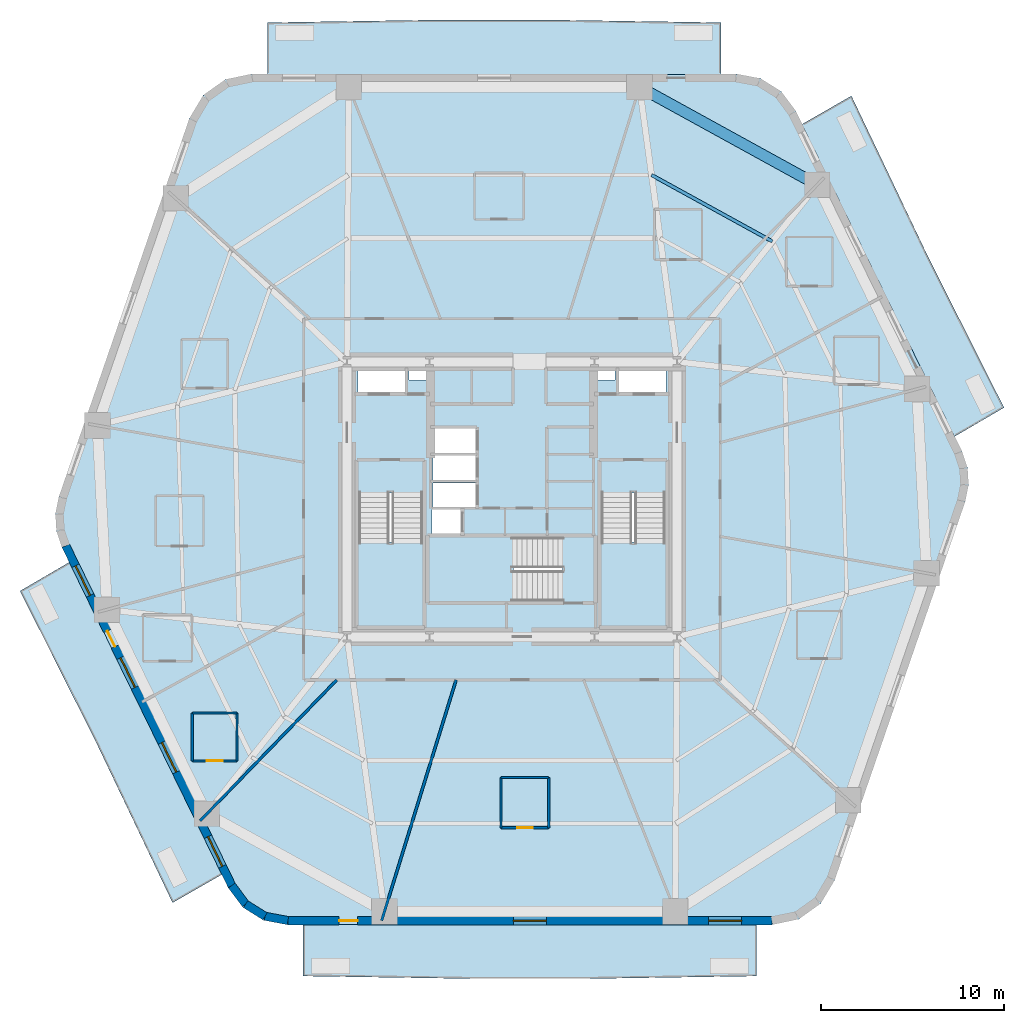
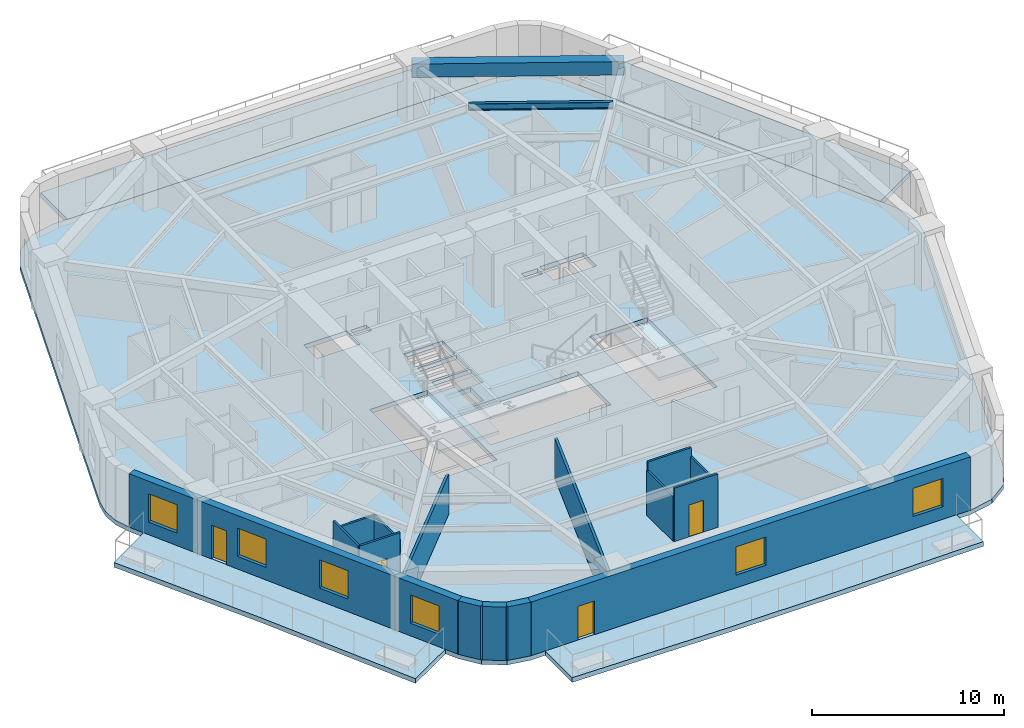
# One storey, part 2 of 9: 15 walls, 8 slabs, 6 windows, 4 doors, 2 beams, 10 openings, 3 elements without a shape of their own.
"""IFC4 building model written with IfcOpenShell, lengths in metres."""

from ifc_helpers import new_model, si_unit, direction, frame, frame_2d, origin, origin_2d, place, context, subcontext, project, spatial, polyline, rectangle, i_section, outline, extrude, material, layer, layer_set, material_profile, profile_set, type_object, element, fill, aggregate, save


model = new_model("IFC4")

# Units and contexts
model_context = context("Model", 3, precision=1e-05, world=origin(), true_north=direction((0.0, 1.0)))
body_context = subcontext(model_context, "Body", "Model", "MODEL_VIEW")
ifc_project = project(units=[si_unit("LENGTHUNIT", "METRE"), si_unit("AREAUNIT", "SQUARE_METRE"), si_unit("VOLUMEUNIT", "CUBIC_METRE"), si_unit("PLANEANGLEUNIT", "RADIAN"), si_unit("MASSUNIT", "GRAM", prefix="KILO")], contexts=[model_context])

# Site, building, storey
site_placement = place(None, origin())
site = spatial("IfcSite", under=ifc_project, at=site_placement, CompositionType="ELEMENT")
building_placement = place(site_placement, origin())
building = spatial("IfcBuilding", under=site, at=building_placement, Name="Kilnhurst Terrace Hotel", CompositionType="ELEMENT")
storey_placement = place(building_placement, frame((0.0, 0.0, 60.10009765625)))
storey = spatial("IfcBuildingStorey", under=building, at=storey_placement, Name="L13", CompositionType="ELEMENT", Elevation=60.10009765625)

# Beams
ifc_material_1 = material(Name="Concrete C50/60", Category="concrete")
ifc_material_profile_1 = material_profile(ifc_material_1, rectangle(XDim=0.60009765625, YDim=0.85009765625, at=origin_2d()), Name="RC600X850")
ifc_profile_set_1 = profile_set([ifc_material_profile_1], Name="Concrete C50/60")
beam_type_1 = type_object("IfcBeamType", Name="BM-SPN-600X850", PredefinedType="SPANDREL", material=ifc_profile_set_1)
beam_1_placement = place(storey_placement, frame((16.64306640625, 17.152099609375, 2.974853515625), z_axis=(-0.876235488803, 0.481883147829, 0.0), x_axis=(-0.481883147829, -0.876235488803, 0.0)))
element("IfcBeam", 1, at=beam_1_placement, inside=storey, type_object=beam_type_1, Name="L13 Perimeter Spandrel Beam 6", PredefinedType="SPANDREL", context=body_context, shape_type="SweptSolid", body=[
    extrude(rectangle(XDim=0.60009765625, YDim=0.85009765625, at=origin_2d()), origin(), (0.0, 0.0, 1.0), 11.056396484375),
])
ifc_material_2 = material(Name="Steel ASTM A992 Grade 50", Category="steel")
ifc_material_profile_2 = material_profile(ifc_material_2, i_section(OverallWidth=0.180908203125, OverallDepth=0.417236328125, WebThickness=0.010986328125, FlangeThickness=0.018310546875, at=origin_2d()), Name="W16X57")
ifc_profile_set_2 = profile_set([ifc_material_profile_2], Name="Steel ASTM A992 Grade 50")
beam_type_2 = type_object("IfcBeamType", Name="JST-STL-W16X57", PredefinedType="JOIST", material=ifc_profile_set_2)
beam_2_placement = place(storey_placement, frame((14.197265625, 14.0634765625, 3.19091796875), z_axis=(-0.876246073632, 0.481863900334, 0.0), x_axis=(-0.481863900334, -0.876246073632, 0.0)))
element("IfcBeam", 2, at=beam_2_placement, inside=storey, type_object=beam_type_2, Name="L13 Secondary Floor Steel Joist OUT.6", PredefinedType="JOIST", context=body_context, shape_type="SweptSolid", body=[
    extrude(i_section(OverallWidth=0.180908203125, OverallDepth=0.417236328125, WebThickness=0.010986328125, FlangeThickness=0.018310546875, at=origin_2d()), origin(), (0.0, 0.0, 1.0), 7.518310546875),
])

# Slabs
ifc_layer_1 = layer(ifc_material_1, 0.300048828125, Name="Concrete C50/60")
ifc_layer_set_1 = layer_set([ifc_layer_1], Name="Concrete C50/60")
slab_type_1 = type_object("IfcSlabType", Name="SLB-BAL-300", PredefinedType="FLOOR", material=ifc_layer_set_1)
slab_1_placement = place(storey_placement, frame((0.0, 0.0, -0.300048828125)))
element("IfcSlab", 3, at=slab_1_placement, inside=storey, type_object=slab_type_1, Name="L13 Cantilevered Planted Terrace Slab BAL-L1A", PredefinedType="FLOOR", context=body_context, shape_type="SweptSolid", body=[
    extrude(outline(polyline([(22.697021484375, 13.21142578125), (26.830810546875, 5.0), (24.128662109375, 3.42333984375), (15.809814453125, 20.452880859375), (18.509521484375, 22.0), (22.697021484375, 13.21142578125)])), origin(), (0.0, 0.0, 1.0), 0.300048828125),
])
slab_2_placement = place(storey_placement, frame((0.0, 0.0, -0.300048828125)))
element("IfcSlab", 4, at=slab_2_placement, inside=storey, type_object=slab_type_1, Name="L13 Cantilevered Planted Terrace Slab BAL-L1B", PredefinedType="FLOOR", context=body_context, shape_type="SweptSolid", body=[
    extrude(outline(polyline([(2.279541015625, 26.139892578125), (11.39208984375, 26.0), (11.39208984375, 23.179931640625), (-13.341552734375, 23.179931640625), (-13.341552734375, 26.0), (-4.229248046875, 26.139892578125), (2.279541015625, 26.139892578125)])), origin(), (0.0, 0.0, 1.0), 0.300048828125),
])
slab_3_placement = place(storey_placement, frame((0.0, 0.0, -0.300048828125)))
element("IfcSlab", 5, at=slab_3_placement, inside=storey, type_object=slab_type_1, Name="L13 Cantilevered Planted Terrace Slab BAL-L2A", PredefinedType="FLOOR", context=body_context, shape_type="SweptSolid", body=[
    extrude(outline(polyline([(-26.830810546875, -5.0), (-24.128662109375, -3.42333984375), (-15.809814453125, -20.452880859375), (-18.509521484375, -22.0), (-22.697021484375, -13.21142578125), (-26.830810546875, -5.0)])), origin(), (0.0, 0.0, 1.0), 0.300048828125),
])
slab_4_placement = place(storey_placement, frame((0.0, 0.0, -0.300048828125)))
element("IfcSlab", 6, at=slab_4_placement, inside=storey, type_object=slab_type_1, Name="L13 Cantilevered Planted Terrace Slab BAL-L2B", PredefinedType="FLOOR", context=body_context, shape_type="SweptSolid", body=[
    extrude(outline(polyline([(-2.279541015625, -26.139892578125), (-11.39208984375, -26.0), (-11.39208984375, -23.179931640625), (13.341552734375, -23.179931640625), (13.341552734375, -26.0), (4.229248046875, -26.139892578125), (-2.279541015625, -26.139892578125)])), origin(), (0.0, 0.0, 1.0), 0.300048828125),
])
ifc_layer_2 = layer(ifc_material_1, 0.280029296875, Name="Concrete C50/60")
ifc_layer_set_2 = layer_set([ifc_layer_2], Name="Concrete C50/60")
slab_type_2 = type_object("IfcSlabType", Name="SLB-FLR-280", PredefinedType="FLOOR", material=ifc_layer_set_2)
slab_5_placement = place(storey_placement, frame((0.0, 0.0, -0.280029296875)))
element("IfcSlab", 7, at=slab_5_placement, inside=storey, type_object=slab_type_2, Name="L13 Structural Floor Slab", PredefinedType="FLOOR", context=body_context, shape_type="SweptSolid", body=[
    extrude(outline(polyline([(-15.476806640625, -21.18017578125), (-14.680908203125, -22.248046875), (-13.551025390625, -22.95361328125), (-12.241943359375, -23.199951171875), (14.191650390625, -23.199951171875), (15.635986328125, -22.8974609375), (16.837890625, -22.040771484375), (17.5947265625, -20.773681640625), (24.712890625, -0.135986328125), (24.90087890625, 0.7861328125), (24.843505859375, 1.7255859375), (24.54443359375, 2.617919921875), (15.476806640625, 21.18017578125), (14.680908203125, 22.248046875), (13.551025390625, 22.95361328125), (12.241943359375, 23.199951171875), (-14.191650390625, 23.199951171875), (-15.635986328125, 22.8974609375), (-16.837890625, 22.040771484375), (-17.5947265625, 20.773681640625), (-24.712890625, 0.135986328125), (-24.90087890625, -0.7861328125), (-24.843505859375, -1.7255859375), (-24.54443359375, -2.617919921875), (-15.476806640625, -21.18017578125)]), holes=[polyline([(-8.35009765625, 0.35498046875), (-4.8798828125, 0.35498046875), (-4.8798828125, -6.89990234375), (-8.35009765625, -6.89990234375), (-8.35009765625, 0.35498046875)]), polyline([(-2.800048828125, -1.89990234375), (-4.35009765625, -1.89990234375), (-4.35009765625, -0.550048828125), (-2.800048828125, -0.550048828125), (-2.800048828125, -1.89990234375)]), polyline([(-1.949951171875, -0.429931640625), (-4.300048828125, -0.429931640625), (-4.300048828125, 0.89990234375), (-1.949951171875, 0.89990234375), (-1.949951171875, -0.429931640625)]), polyline([(-4.300048828125, 1.050048828125), (-4.300048828125, 2.3798828125), (-1.949951171875, 2.3798828125), (-1.949951171875, 1.050048828125), (-4.300048828125, 1.050048828125)]), polyline([(-8.39990234375, 5.75), (-8.39990234375, 7.14990234375), (-5.800048828125, 7.14990234375), (-5.800048828125, 5.75), (-8.39990234375, 5.75)]), polyline([(-4.659912109375, 6.52001953125), (-5.6201171875, 6.52001953125), (-5.6201171875, 7.080078125), (-4.659912109375, 7.080078125), (-4.659912109375, 6.52001953125)]), polyline([(2.7548828125, -5.550048828125), (-4.5, -5.550048828125), (-4.5, -2.080078125), (2.7548828125, -2.080078125), (2.7548828125, -5.550048828125)]), polyline([(8.35009765625, 0.35498046875), (8.35009765625, -6.89990234375), (4.8798828125, -6.89990234375), (4.8798828125, 0.35498046875), (8.35009765625, 0.35498046875)]), polyline([(-1.949951171875, 2.530029296875), (-4.300048828125, 2.530029296875), (-4.300048828125, 3.860107421875), (-1.949951171875, 3.860107421875), (-1.949951171875, 2.530029296875)]), polyline([(5.800048828125, 5.75), (5.800048828125, 7.14990234375), (8.39990234375, 7.14990234375), (8.39990234375, 5.75), (5.800048828125, 5.75)]), polyline([(4.659912109375, 6.52001953125), (4.659912109375, 7.080078125), (5.6201171875, 7.080078125), (5.6201171875, 6.52001953125), (4.659912109375, 6.52001953125)])]), origin(), (0.0, 0.0, 1.0), 0.280029296875),
])

# Stair, slab
stair_type = type_object("IfcStairType", Name="STR-CORE-1660", PredefinedType="HALF_TURN_STAIR", material=ifc_material_1)
stair_1_placement = place(storey_placement, origin())
stair_1 = element("IfcStair", 8, at=stair_1_placement, inside=storey, type_object=stair_type, Name="L13 ST-1", PredefinedType="HALF_TURN_STAIR")
ifc_layer_3 = layer(ifc_material_1, 0.199951171875, Name="Concrete C50/60")
ifc_layer_set_3 = layer_set([ifc_layer_3], Name="Concrete C50/60")
slab_type_3 = type_object("IfcSlabType", Name="SLB-ST-LND-200", PredefinedType="LANDING", material=ifc_layer_set_3)
slab_6_placement = place(storey_placement, frame((0.0, 0.0, 1.64990234375)))
slab_6 = element("IfcSlab", 9, at=slab_6_placement, type_object=slab_type_3, Name="ST-1 landing 1", PredefinedType="LANDING", context=body_context, shape_type="SweptSolid", body=[
    extrude(outline(polyline([(-8.429931640625, -2.330078125), (-4.800048828125, -2.330078125), (-4.800048828125, -6.97998046875), (-8.429931640625, -6.97998046875), (-8.429931640625, -2.330078125)])), origin(), (0.0, 0.0, 1.0), 0.199951171875),
])
aggregate(stair_1, [slab_6])

stair_2_placement = place(storey_placement, origin())
stair_2 = element("IfcStair", 10, at=stair_2_placement, inside=storey, type_object=stair_type, Name="L13 ST-2", PredefinedType="HALF_TURN_STAIR")
slab_7_placement = place(storey_placement, frame((0.0, 0.0, 1.64990234375)))
slab_7 = element("IfcSlab", 11, at=slab_7_placement, type_object=slab_type_3, Name="ST-2 landing 1", PredefinedType="LANDING", context=body_context, shape_type="SweptSolid", body=[
    extrude(outline(polyline([(4.800048828125, -2.330078125), (8.429931640625, -2.330078125), (8.429931640625, -6.97998046875), (4.800048828125, -6.97998046875), (4.800048828125, -2.330078125)])), origin(), (0.0, 0.0, 1.0), 0.199951171875),
])
aggregate(stair_2, [slab_7])

stair_3_placement = place(storey_placement, origin())
stair_3 = element("IfcStair", 12, at=stair_3_placement, inside=storey, type_object=stair_type, Name="L13 ST-3", PredefinedType="HALF_TURN_STAIR")
slab_8_placement = place(storey_placement, frame((0.0, 0.0, 1.64990234375)))
slab_8 = element("IfcSlab", 13, at=slab_8_placement, type_object=slab_type_3, Name="ST-3 landing 1", PredefinedType="LANDING", context=body_context, shape_type="SweptSolid", body=[
    extrude(outline(polyline([(0.070068359375, -2.0), (0.070068359375, -5.6298828125), (-4.580078125, -5.6298828125), (-4.580078125, -2.0), (0.070068359375, -2.0)])), origin(), (0.0, 0.0, 1.0), 0.199951171875),
])
aggregate(stair_3, [slab_8])

# Walls
ifc_material_3 = material(Name="Precast concrete C40/50", Category="concrete")
ifc_layer_4 = layer(ifc_material_3, 0.449951171875, Name="Precast concrete C40/50")
ifc_layer_set_4 = layer_set([ifc_layer_4], Name="Precast concrete C40/50")
wall_type_1 = type_object("IfcWallType", Name="WL-BRK-450", PredefinedType="SOLIDWALL", material=ifc_layer_set_4)
wall_1_placement = place(storey_placement, frame((-15.28369140625, -21.0625, 0.0), z_axis=(0.0, 0.0, 1.0), x_axis=(0.597595366449, -0.801797841104, 0.0)))
element("IfcWall", 14, at=wall_1_placement, inside=storey, type_object=wall_type_1, Name="L13 Rounded Corner Brick Wall C1.1", PredefinedType="SOLIDWALL", context=body_context, shape_type="SweptSolid", body=[
    extrude(rectangle(XDim=1.2685546875, YDim=0.449951171875, at=frame_2d((0.63427734375, 0.0))), origin(), (0.0, 0.0, 1.0), 3.39990234375),
])
wall_2_placement = place(storey_placement, frame((-14.525634765625, -22.07958984375, 0.0), z_axis=(0.0, 0.0, 1.0), x_axis=(0.848185203596, -0.529699783275, 0.0)))
element("IfcWall", 15, at=wall_2_placement, inside=storey, type_object=wall_type_1, Name="L13 Rounded Corner Brick Wall C1.2", PredefinedType="SOLIDWALL", context=body_context, shape_type="SweptSolid", body=[
    extrude(rectangle(XDim=1.247314453125, YDim=0.449951171875, at=frame_2d((0.62353515625, 0.0))), origin(), (0.0, 0.0, 1.0), 3.39990234375),
])
wall_3_placement = place(storey_placement, frame((-13.4677734375, -22.740234375, 0.0), z_axis=(0.0, 0.0, 1.0), x_axis=(0.982717174228, -0.185113358451, 0.0)))
element("IfcWall", 16, at=wall_3_placement, inside=storey, type_object=wall_type_1, Name="L13 Rounded Corner Brick Wall C1.3", PredefinedType="SOLIDWALL", context=body_context, shape_type="SweptSolid", body=[
    extrude(rectangle(XDim=1.268798828125, YDim=0.449951171875, at=frame_2d((0.63427734375, 0.0))), origin(), (0.0, 0.0, 1.0), 3.39990234375),
])

# Wall, openings, door, windows
wall_4_placement = place(storey_placement, frame((-12.220947265625, -22.97509765625, 0.0), z_axis=(0.0, 0.0, 1.0), x_axis=(1.0, 0.0, 0.0)))
wall_4 = element("IfcWall", 17, at=wall_4_placement, inside=storey, type_object=wall_type_1, Name="L13 Exterior Brick Facade Wall F1", PredefinedType="SOLIDWALL", context=body_context, shape_type="SweptSolid", body=[
    extrude(rectangle(XDim=26.38916015625, YDim=0.449951171875, at=frame_2d((13.194580078125, 0.0))), origin(), (0.0, 0.0, 1.0), 3.39990234375),
])
opening_1_placement = place(wall_4_placement, frame((2.799072265625, 0.0, 0.0)))
opening_1 = element("IfcOpeningElement", 18, at=opening_1_placement, cuts=wall_4, Name="Opening BD-1000", PredefinedType="OPENING", context=body_context, shape_type="SweptSolid", body=[
    extrude(rectangle(XDim=1.0, YDim=2.14990234375, at=frame_2d((0.5, 1.074951171875))), frame((0.0, 0.23486328125, 0.0), z_axis=(0.0, -1.0, 0.0), x_axis=(1.0, 0.0, 0.0)), (0.0, 0.0, 1.0), 0.469970703125),
])
opening_2_placement = place(wall_4_placement, frame((12.2958984375, 0.0, 0.800048828125)))
opening_2 = element("IfcOpeningElement", 19, at=opening_2_placement, cuts=wall_4, Name="Opening W-01", PredefinedType="OPENING", context=body_context, shape_type="SweptSolid", body=[
    extrude(rectangle(XDim=1.800048828125, YDim=1.800048828125, at=frame_2d((0.89990234375, 0.89990234375))), frame((0.0, 0.23486328125, 0.0), z_axis=(0.0, -1.0, 0.0), x_axis=(1.0, 0.0, 0.0)), (0.0, 0.0, 1.0), 0.469970703125),
])
opening_3_placement = place(wall_4_placement, frame((22.93798828125, 0.0, 0.800048828125)))
opening_3 = element("IfcOpeningElement", 20, at=opening_3_placement, cuts=wall_4, Name="Opening W-01", PredefinedType="OPENING", context=body_context, shape_type="SweptSolid", body=[
    extrude(rectangle(XDim=1.800048828125, YDim=1.800048828125, at=frame_2d((0.89990234375, 0.89990234375))), frame((0.0, 0.23486328125, 0.0), z_axis=(0.0, -1.0, 0.0), x_axis=(1.0, 0.0, 0.0)), (0.0, 0.0, 1.0), 0.469970703125),
])
ifc_material_4 = material(Name="Thermally Broken Bronze Aluminium Alloy 6063-T6 and Laminated Glass", Category="aluminium")
door_type_1 = type_object("IfcDoorType", Name="DR-EXT-BAL-1000", OperationType="NOTDEFINED", PredefinedType="DOOR", material=ifc_material_4)
door_1_placement = place(opening_1_placement, origin())
door_1 = element("IfcDoor", 21, at=door_1_placement, inside=storey, type_object=door_type_1, Name="L13 Planted Balcony Door BAL-L2B", OperationType="SINGLE_SWING_LEFT", OverallHeight=2.14990234375, OverallWidth=1.0, PredefinedType="DOOR", context=body_context, shape_type="SweptSolid", body=[
    extrude(rectangle(XDim=1.0, YDim=2.14990234375, at=frame_2d((0.5, 1.074951171875))), frame((0.0, 0.02490234375, 0.0), z_axis=(0.0, -1.0, 0.0), x_axis=(1.0, 0.0, 0.0)), (0.0, 0.0, 1.0), 0.050048828125),
])
fill(opening_1, door_1)
ifc_material_5 = material(Name="Thermally Broken Bronze Aluminium Alloy 6063-T6 and Low-E Glass", Category="aluminium")
window_type = type_object("IfcWindowType", Name="WIN-1800X1800", PartitioningType="SINGLE_PANEL", PredefinedType="WINDOW", material=ifc_material_5)
window_1_placement = place(opening_2_placement, origin())
window_1 = element("IfcWindow", 22, at=window_1_placement, inside=storey, type_object=window_type, Name="L13 Deep-Set Masonry Window F1.1", OverallHeight=1.800048828125, OverallWidth=1.800048828125, PartitioningType="SINGLE_PANEL", PredefinedType="WINDOW", context=body_context, shape_type="SweptSolid", body=[
    extrude(rectangle(XDim=1.800048828125, YDim=1.800048828125, at=frame_2d((0.89990234375, 0.89990234375))), frame((0.0, 0.030029296875, 0.0), z_axis=(0.0, -1.0, 0.0), x_axis=(1.0, 0.0, 0.0)), (0.0, 0.0, 1.0), 0.06005859375),
])
fill(opening_2, window_1)
window_2_placement = place(opening_3_placement, origin())
window_2 = element("IfcWindow", 23, at=window_2_placement, inside=storey, type_object=window_type, Name="L13 Deep-Set Masonry Window F1.2", OverallHeight=1.800048828125, OverallWidth=1.800048828125, PartitioningType="SINGLE_PANEL", PredefinedType="WINDOW", context=body_context, shape_type="SweptSolid", body=[
    extrude(rectangle(XDim=1.800048828125, YDim=1.800048828125, at=frame_2d((0.89990234375, 0.89990234375))), frame((0.0, 0.030029296875, 0.0), z_axis=(0.0, -1.0, 0.0), x_axis=(1.0, 0.0, 0.0)), (0.0, 0.0, 1.0), 0.06005859375),
])
fill(opening_3, window_2)

wall_5_placement = place(storey_placement, frame((-24.335693359375, -2.532470703125, 0.0), z_axis=(0.0, 0.0, 1.0), x_axis=(0.438931326393, -0.898520612291, 0.0)))
wall_5 = element("IfcWall", 24, at=wall_5_placement, inside=storey, type_object=wall_type_1, Name="L13 Exterior Brick Facade Wall F6", PredefinedType="SOLIDWALL", context=body_context, shape_type="SweptSolid", body=[
    extrude(rectangle(XDim=20.622802734375, YDim=0.449951171875, at=frame_2d((10.3115234375, 0.0))), origin(), (0.0, 0.0, 1.0), 3.39990234375),
])
opening_4_placement = place(wall_5_placement, frame((5.1708984375, 0.0, 0.0)))
opening_4 = element("IfcOpeningElement", 25, at=opening_4_placement, cuts=wall_5, Name="Opening BD-950", PredefinedType="OPENING", context=body_context, shape_type="SweptSolid", body=[
    extrude(rectangle(XDim=0.949951171875, YDim=2.14990234375, at=frame_2d((0.47509765625, 1.074951171875))), frame((0.0, 0.23486328125, 0.0), z_axis=(0.0, -1.0, 0.0), x_axis=(1.0, 0.0, 0.0)), (0.0, 0.0, 1.0), 0.469970703125),
])
opening_5_placement = place(wall_5_placement, frame((1.214111328125, 0.0, 0.800048828125)))
opening_5 = element("IfcOpeningElement", 26, at=opening_5_placement, cuts=wall_5, Name="Opening W-01", PredefinedType="OPENING", context=body_context, shape_type="SweptSolid", body=[
    extrude(rectangle(XDim=1.800048828125, YDim=1.800048828125, at=frame_2d((0.89990234375, 0.89990234375))), frame((0.0, 0.23486328125, 0.0), z_axis=(0.0, -1.0, 0.0), x_axis=(1.0, 0.0, 0.0)), (0.0, 0.0, 1.0), 0.469970703125),
])
opening_6_placement = place(wall_5_placement, frame((6.800048828125, 0.0, 0.800048828125)))
opening_6 = element("IfcOpeningElement", 27, at=opening_6_placement, cuts=wall_5, Name="Opening W-01", PredefinedType="OPENING", context=body_context, shape_type="SweptSolid", body=[
    extrude(rectangle(XDim=1.800048828125, YDim=1.800048828125, at=frame_2d((0.89990234375, 0.89990234375))), frame((0.0, 0.23486328125, 0.0), z_axis=(0.0, -1.0, 0.0), x_axis=(1.0, 0.0, 0.0)), (0.0, 0.0, 1.0), 0.469970703125),
])
opening_7_placement = place(wall_5_placement, frame((11.94189453125, 0.0, 0.800048828125)))
opening_7 = element("IfcOpeningElement", 28, at=opening_7_placement, cuts=wall_5, Name="Opening W-01", PredefinedType="OPENING", context=body_context, shape_type="SweptSolid", body=[
    extrude(rectangle(XDim=1.800048828125, YDim=1.800048828125, at=frame_2d((0.89990234375, 0.89990234375))), frame((0.0, 0.23486328125, 0.0), z_axis=(0.0, -1.0, 0.0), x_axis=(1.0, 0.0, 0.0)), (0.0, 0.0, 1.0), 0.469970703125),
])
opening_8_placement = place(wall_5_placement, frame((17.659912109375, 0.0, 0.800048828125)))
opening_8 = element("IfcOpeningElement", 29, at=opening_8_placement, cuts=wall_5, Name="Opening W-01", PredefinedType="OPENING", context=body_context, shape_type="SweptSolid", body=[
    extrude(rectangle(XDim=1.800048828125, YDim=1.800048828125, at=frame_2d((0.89990234375, 0.89990234375))), frame((0.0, 0.23486328125, 0.0), z_axis=(0.0, -1.0, 0.0), x_axis=(1.0, 0.0, 0.0)), (0.0, 0.0, 1.0), 0.469970703125),
])
door_type_2 = type_object("IfcDoorType", Name="DR-EXT-BAL-950", OperationType="NOTDEFINED", PredefinedType="DOOR", material=ifc_material_4)
door_2_placement = place(opening_4_placement, origin())
door_2 = element("IfcDoor", 30, at=door_2_placement, inside=storey, type_object=door_type_2, Name="L13 Planted Balcony Door BAL-L2A", OperationType="SINGLE_SWING_RIGHT", OverallHeight=2.14990234375, OverallWidth=0.949951171875, PredefinedType="DOOR", context=body_context, shape_type="SweptSolid", body=[
    extrude(rectangle(XDim=0.949951171875, YDim=2.14990234375, at=frame_2d((0.47509765625, 1.074951171875))), frame((0.0, 0.02490234375, 0.0), z_axis=(0.0, -1.0, 0.0), x_axis=(1.0, 0.0, 0.0)), (0.0, 0.0, 1.0), 0.050048828125),
])
fill(opening_4, door_2)
window_3_placement = place(opening_5_placement, origin())
window_3 = element("IfcWindow", 31, at=window_3_placement, inside=storey, type_object=window_type, Name="L13 Deep-Set Masonry Window F6.1", OverallHeight=1.800048828125, OverallWidth=1.800048828125, PartitioningType="SINGLE_PANEL", PredefinedType="WINDOW", context=body_context, shape_type="SweptSolid", body=[
    extrude(rectangle(XDim=1.800048828125, YDim=1.800048828125, at=frame_2d((0.89990234375, 0.89990234375))), frame((0.0, 0.030029296875, 0.0), z_axis=(0.0, -1.0, 0.0), x_axis=(1.0, 0.0, 0.0)), (0.0, 0.0, 1.0), 0.06005859375),
])
fill(opening_5, window_3)
window_4_placement = place(opening_6_placement, origin())
window_4 = element("IfcWindow", 32, at=window_4_placement, inside=storey, type_object=window_type, Name="L13 Deep-Set Masonry Window F6.2", OverallHeight=1.800048828125, OverallWidth=1.800048828125, PartitioningType="SINGLE_PANEL", PredefinedType="WINDOW", context=body_context, shape_type="SweptSolid", body=[
    extrude(rectangle(XDim=1.800048828125, YDim=1.800048828125, at=frame_2d((0.89990234375, 0.89990234375))), frame((0.0, 0.030029296875, 0.0), z_axis=(0.0, -1.0, 0.0), x_axis=(1.0, 0.0, 0.0)), (0.0, 0.0, 1.0), 0.06005859375),
])
fill(opening_6, window_4)
window_5_placement = place(opening_7_placement, origin())
window_5 = element("IfcWindow", 33, at=window_5_placement, inside=storey, type_object=window_type, Name="L13 Deep-Set Masonry Window F6.3", OverallHeight=1.800048828125, OverallWidth=1.800048828125, PartitioningType="SINGLE_PANEL", PredefinedType="WINDOW", context=body_context, shape_type="SweptSolid", body=[
    extrude(rectangle(XDim=1.800048828125, YDim=1.800048828125, at=frame_2d((0.89990234375, 0.89990234375))), frame((0.0, 0.030029296875, 0.0), z_axis=(0.0, -1.0, 0.0), x_axis=(1.0, 0.0, 0.0)), (0.0, 0.0, 1.0), 0.06005859375),
])
fill(opening_7, window_5)
window_6_placement = place(opening_8_placement, origin())
window_6 = element("IfcWindow", 34, at=window_6_placement, inside=storey, type_object=window_type, Name="L13 Deep-Set Masonry Window F6.4", OverallHeight=1.800048828125, OverallWidth=1.800048828125, PartitioningType="SINGLE_PANEL", PredefinedType="WINDOW", context=body_context, shape_type="SweptSolid", body=[
    extrude(rectangle(XDim=1.800048828125, YDim=1.800048828125, at=frame_2d((0.89990234375, 0.89990234375))), frame((0.0, 0.030029296875, 0.0), z_axis=(0.0, -1.0, 0.0), x_axis=(1.0, 0.0, 0.0)), (0.0, 0.0, 1.0), 0.06005859375),
])
fill(opening_8, window_6)

# Walls
ifc_material_6 = material(Name="STC-58 Acoustic Twin-Frame Guestroom Demising Partition")
ifc_layer_5 = layer(ifc_material_6, 0.14990234375, Name="STC-58 Acoustic Twin-Frame Guestroom Demising Partition")
ifc_layer_set_5 = layer_set([ifc_layer_5], Name="STC-58 Acoustic Twin-Frame Guestroom Demising Partition")
wall_type_2 = type_object("IfcWallType", Name="WL-DEM-150", PredefinedType="PARTITIONING", material=ifc_layer_set_5)
wall_6_placement = place(storey_placement, frame((-9.5576171875, -9.85009765625, 0.0), z_axis=(0.0, 0.0, 1.0), x_axis=(-0.69638346089, -0.717669893056, 0.0)))
element("IfcWall", 35, at=wall_6_placement, inside=storey, type_object=wall_type_2, Name="L13 Interior Wall WL-L13-DEM-COL08-10-1", PredefinedType="PARTITIONING", context=body_context, shape_type="SweptSolid", body=[
    extrude(rectangle(XDim=10.700927734375, YDim=0.14990234375, at=frame_2d((5.3505859375, 0.0))), origin(), (0.0, 0.0, 1.0), 2.539794921875),
])
wall_7_placement = place(storey_placement, frame((-3.047607421875, -9.85009765625, 0.0), z_axis=(0.0, 0.0, 1.0), x_axis=(-0.295553992761, -0.955326037206, 0.0)))
element("IfcWall", 36, at=wall_7_placement, inside=storey, type_object=wall_type_2, Name="L13 Interior Wall WL-L13-DEM-COL09-11-1", PredefinedType="PARTITIONING", context=body_context, shape_type="SweptSolid", body=[
    extrude(rectangle(XDim=13.73876953125, YDim=0.14990234375, at=frame_2d((6.869384765625, 0.0))), origin(), (0.0, 0.0, 1.0), 2.539794921875),
])

# Wall, opening, door
ifc_material_7 = material(Name="120 mm Moisture-Resistant Tile-Backed Bathroom Partition")
ifc_layer_6 = layer(ifc_material_7, 0.1201171875, Name="120 mm Moisture-Resistant Tile-Backed Bathroom Partition")
ifc_layer_set_6 = layer_set([ifc_layer_6], Name="120 mm Moisture-Resistant Tile-Backed Bathroom Partition")
wall_type_3 = type_object("IfcWallType", Name="WL-PART-120", PredefinedType="PARTITIONING", material=ifc_layer_set_6)
wall_8_placement = place(storey_placement, frame((-17.431884765625, -14.262939453125, 0.0), z_axis=(0.0, 0.0, 1.0), x_axis=(1.0, 0.0, 0.0)))
wall_8 = element("IfcWall", 37, at=wall_8_placement, inside=storey, type_object=wall_type_3, Name="L13 Interior Wall WL-L13-BTH-09-1", PredefinedType="PARTITIONING", context=body_context, shape_type="SweptSolid", body=[
    extrude(rectangle(XDim=2.43994140625, YDim=0.1201171875, at=frame_2d((1.219970703125, 0.0))), origin(), (0.0, 0.0, 1.0), 3.39990234375),
])
opening_9_placement = place(wall_8_placement, frame((0.794921875, 0.0, 0.0)))
opening_9 = element("IfcOpeningElement", 38, at=opening_9_placement, cuts=wall_8, Name="Opening D-08A", PredefinedType="OPENING", context=body_context, shape_type="SweptSolid", body=[
    extrude(rectangle(XDim=0.85009765625, YDim=2.030029296875, at=frame_2d((0.425048828125, 1.01513671875))), frame((0.0, 0.070068359375, 0.0), z_axis=(0.0, -1.0, 0.0), x_axis=(1.0, 0.0, 0.0)), (0.0, 0.0, 1.0), 0.14013671875),
])
ifc_material_8 = material(Name="Moisture-Resistant Lacquered En-suite Bathroom Door")
door_type_3 = type_object("IfcDoorType", Name="DR-INT-850", OperationType="NOTDEFINED", PredefinedType="DOOR", material=ifc_material_8)
door_3_placement = place(opening_9_placement, origin())
door_3 = element("IfcDoor", 39, at=door_3_placement, inside=storey, type_object=door_type_3, Name="L13 En-suite Bathroom Door 9", OperationType="SINGLE_SWING_RIGHT", OverallHeight=2.030029296875, OverallWidth=0.85009765625, PredefinedType="DOOR", context=body_context, shape_type="SweptSolid", body=[
    extrude(rectangle(XDim=0.85009765625, YDim=2.030029296875, at=frame_2d((0.425048828125, 1.01513671875))), frame((0.0, 0.02490234375, 0.0), z_axis=(0.0, -1.0, 0.0), x_axis=(1.0, 0.0, 0.0)), (0.0, 0.0, 1.0), 0.050048828125),
])
fill(opening_9, door_3)

# Walls
wall_9_placement = place(storey_placement, frame((-14.991943359375, -14.262939453125, 0.0), z_axis=(0.0, 0.0, 1.0), x_axis=(0.0, 1.0, 0.0)))
element("IfcWall", 40, at=wall_9_placement, inside=storey, type_object=wall_type_3, Name="L13 Interior Wall WL-L13-BTH-09-2", PredefinedType="PARTITIONING", context=body_context, shape_type="SweptSolid", body=[
    extrude(rectangle(XDim=2.60986328125, YDim=0.1201171875, at=frame_2d((1.304931640625, 0.0))), origin(), (0.0, 0.0, 1.0), 2.926513671875),
])
wall_10_placement = place(storey_placement, frame((-14.991943359375, -11.653076171875, 0.0), z_axis=(0.0, 0.0, 1.0), x_axis=(-1.0, 0.0, 0.0)))
element("IfcWall", 41, at=wall_10_placement, inside=storey, type_object=wall_type_3, Name="L13 Interior Wall WL-L13-BTH-09-3", PredefinedType="PARTITIONING", context=body_context, shape_type="SweptSolid", body=[
    extrude(rectangle(XDim=2.43994140625, YDim=0.1201171875, at=frame_2d((1.219970703125, 0.0))), origin(), (0.0, 0.0, 1.0), 2.926513671875),
])
wall_11_placement = place(storey_placement, frame((-17.431884765625, -11.653076171875, 0.0), z_axis=(0.0, 0.0, 1.0), x_axis=(0.0, -1.0, 0.0)))
element("IfcWall", 42, at=wall_11_placement, inside=storey, type_object=wall_type_3, Name="L13 Interior Wall WL-L13-BTH-09-4", PredefinedType="PARTITIONING", context=body_context, shape_type="SweptSolid", body=[
    extrude(rectangle(XDim=2.60986328125, YDim=0.1201171875, at=frame_2d((1.304931640625, 0.0))), origin(), (0.0, 0.0, 1.0), 3.39990234375),
])

# Wall, opening, door
wall_12_placement = place(storey_placement, frame((-0.597900390625, -17.912109375, 0.0), z_axis=(0.0, 0.0, 1.0), x_axis=(1.0, 0.0, 0.0)))
wall_12 = element("IfcWall", 43, at=wall_12_placement, inside=storey, type_object=wall_type_3, Name="L13 Interior Wall WL-L13-BTH-11-1", PredefinedType="PARTITIONING", context=body_context, shape_type="SweptSolid", body=[
    extrude(rectangle(XDim=2.599853515625, YDim=0.1201171875, at=frame_2d((1.2998046875, 0.0))), origin(), (0.0, 0.0, 1.0), 3.39990234375),
])
opening_10_placement = place(wall_12_placement, frame((0.875, 0.0, 0.0)))
opening_10 = element("IfcOpeningElement", 44, at=opening_10_placement, cuts=wall_12, Name="Opening D-08A", PredefinedType="OPENING", context=body_context, shape_type="SweptSolid", body=[
    extrude(rectangle(XDim=0.85009765625, YDim=2.030029296875, at=frame_2d((0.425048828125, 1.01513671875))), frame((0.0, 0.070068359375, 0.0), z_axis=(0.0, -1.0, 0.0), x_axis=(1.0, 0.0, 0.0)), (0.0, 0.0, 1.0), 0.14013671875),
])
door_4_placement = place(opening_10_placement, origin())
door_4 = element("IfcDoor", 45, at=door_4_placement, inside=storey, type_object=door_type_3, Name="L13 En-suite Bathroom Door 11", OperationType="SINGLE_SWING_RIGHT", OverallHeight=2.030029296875, OverallWidth=0.85009765625, PredefinedType="DOOR", context=body_context, shape_type="SweptSolid", body=[
    extrude(rectangle(XDim=0.85009765625, YDim=2.030029296875, at=frame_2d((0.425048828125, 1.01513671875))), frame((0.0, 0.02490234375, 0.0), z_axis=(0.0, -1.0, 0.0), x_axis=(1.0, 0.0, 0.0)), (0.0, 0.0, 1.0), 0.050048828125),
])
fill(opening_10, door_4)

# Walls
wall_13_placement = place(storey_placement, frame((2.001953125, -17.912109375, 0.0), z_axis=(0.0, 0.0, 1.0), x_axis=(0.0, 1.0, 0.0)))
element("IfcWall", 46, at=wall_13_placement, inside=storey, type_object=wall_type_3, Name="L13 Interior Wall WL-L13-BTH-11-2", PredefinedType="PARTITIONING", context=body_context, shape_type="SweptSolid", body=[
    extrude(rectangle(XDim=2.75, YDim=0.1201171875, at=frame_2d((1.375, 0.0))), origin(), (0.0, 0.0, 1.0), 2.84033203125),
])
wall_14_placement = place(storey_placement, frame((2.001953125, -15.162109375, 0.0), z_axis=(0.0, 0.0, 1.0), x_axis=(-1.0, 0.0, 0.0)))
element("IfcWall", 47, at=wall_14_placement, inside=storey, type_object=wall_type_3, Name="L13 Interior Wall WL-L13-BTH-11-3", PredefinedType="PARTITIONING", context=body_context, shape_type="SweptSolid", body=[
    extrude(rectangle(XDim=2.599853515625, YDim=0.1201171875, at=frame_2d((1.2998046875, 0.0))), origin(), (0.0, 0.0, 1.0), 3.39990234375),
])
wall_15_placement = place(storey_placement, frame((-0.597900390625, -15.162109375, 0.0), z_axis=(0.0, 0.0, 1.0), x_axis=(0.0, -1.0, 0.0)))
element("IfcWall", 48, at=wall_15_placement, inside=storey, type_object=wall_type_3, Name="L13 Interior Wall WL-L13-BTH-11-4", PredefinedType="PARTITIONING", context=body_context, shape_type="SweptSolid", body=[
    extrude(rectangle(XDim=2.75, YDim=0.1201171875, at=frame_2d((1.375, 0.0))), origin(), (0.0, 0.0, 1.0), 2.84033203125),
])

save(model, "model.ifc")
